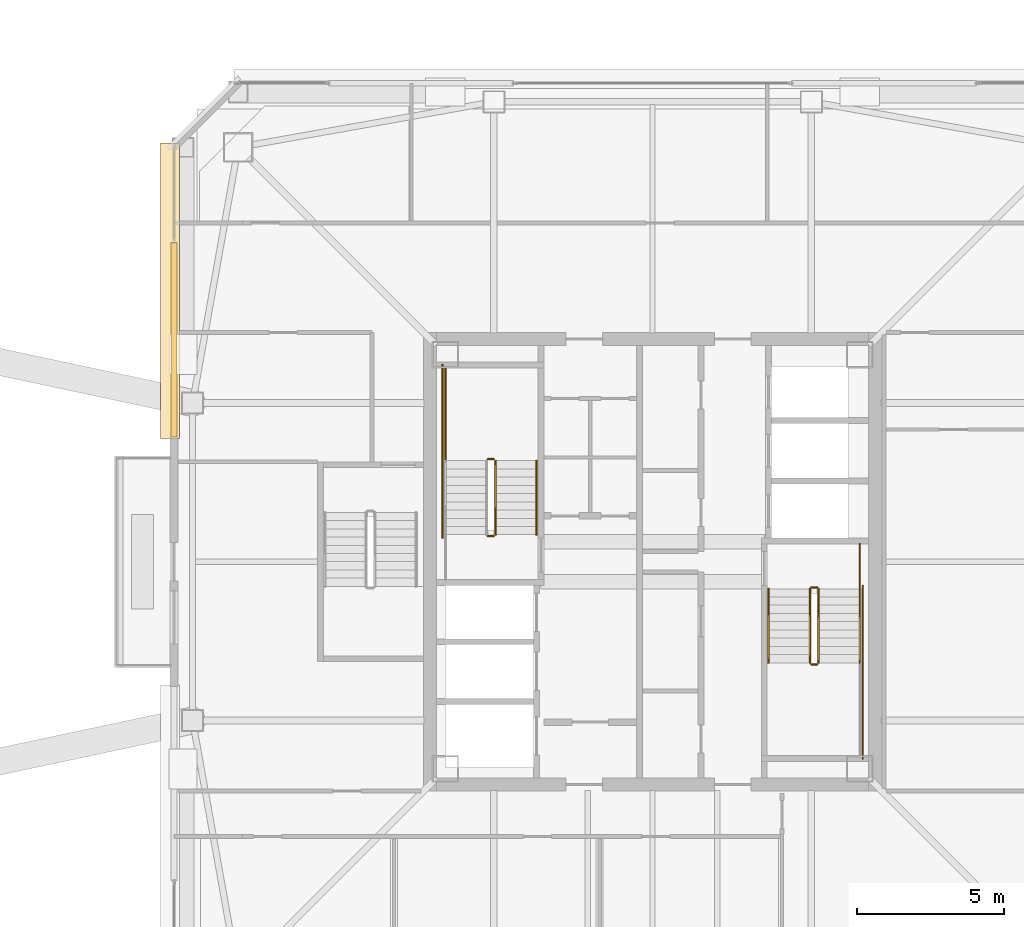
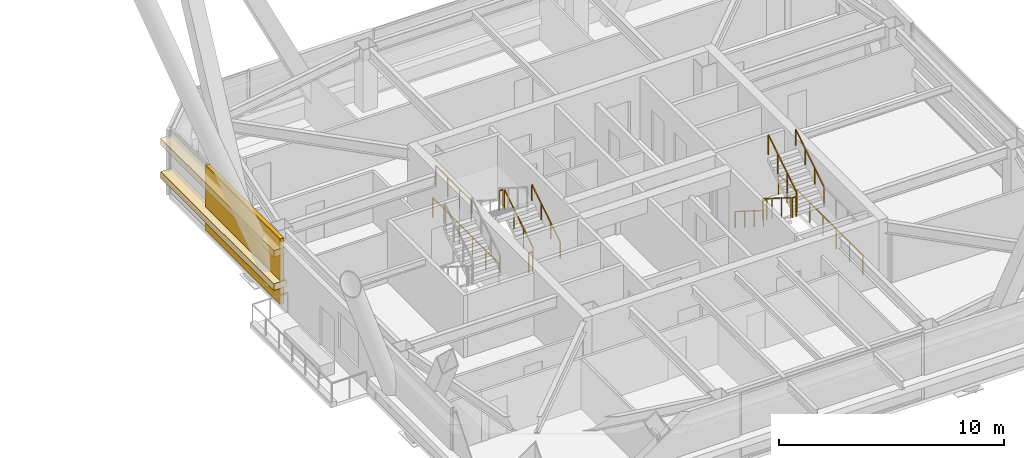
# One storey, part 52 of 56: 14 railings, 3 coverings.
"""IFC4 building model written with IfcOpenShell, lengths in metres."""

from ifc_helpers import new_model, si_unit, direction, frame, origin, origin_2d, place, context, subcontext, project, spatial, rectangle, extrude, material, layer, layer_set, type_object, element, save


model = new_model("IFC4")

# Units and contexts
model_context = context("Model", 3, precision=1e-05, world=origin(), true_north=direction((0.0, 1.0)))
body_context = subcontext(model_context, "Body", "Model", "MODEL_VIEW")
ifc_project = project(units=[si_unit("LENGTHUNIT", "METRE"), si_unit("AREAUNIT", "SQUARE_METRE"), si_unit("VOLUMEUNIT", "CUBIC_METRE"), si_unit("PLANEANGLEUNIT", "RADIAN"), si_unit("MASSUNIT", "GRAM", prefix="KILO")], contexts=[model_context])

# Site, building, storey
site_placement = place(None, origin())
site = spatial("IfcSite", under=ifc_project, at=site_placement, CompositionType="ELEMENT")
building_placement = place(site_placement, origin())
building = spatial("IfcBuilding", under=site, at=building_placement, Name="Tashvorn Skyway Center", CompositionType="ELEMENT")
storey_placement = place(building_placement, frame((0.0, 0.0, 218.39990234375)))
storey = spatial("IfcBuildingStorey", under=building, at=storey_placement, Name="L59", CompositionType="ELEMENT", Elevation=218.39990234375)

# Coverings
ifc_material_1 = material(Name="Precast concrete C40/50", Category="concrete")
ifc_layer_1 = layer(ifc_material_1, 0.199951171875)
ifc_layer_set_1 = layer_set([ifc_layer_1], Name="Precast concrete C40/50")
covering_type_1 = type_object("IfcCoveringType", Name="COV-BRACE-CLAD", PredefinedType="CLADDING", material=ifc_layer_set_1)
covering_placement = place(storey_placement, frame((25.719970703125, 39.56005859375, 0.0), z_axis=(0.0, 0.0, 1.0), x_axis=(0.0, 1.0, 0.0)))
element("IfcCovering", 1, at=covering_placement, inside=storey, type_object=covering_type_1, Name="Tower 1 L59 West Curtain Wall R Mega-Brace Cladding Band 1", PredefinedType="CLADDING", context=body_context, shape_type="SweptSolid", body=[
    extrude(rectangle(XDim=6.6201171875, YDim=0.199951171875, at=origin_2d()), origin(), (0.0, 0.0, 1.0), 3.550048828125),
])
ifc_material_2 = material(Name="Perforated ceramic-coated bronze aluminium solar screen", Category="aluminium")
ifc_layer_2 = layer(ifc_material_2, 0.85009765625)
ifc_layer_set_2 = layer_set([ifc_layer_2], Name="Perforated ceramic-coated bronze aluminium solar screen")
covering_type_2 = type_object("IfcCoveringType", Name="COV-SOLAR-BAND", PredefinedType="CLADDING", material=ifc_layer_set_2)
for number, where, z_axis, x_axis, name in (
    (2, (25.580078125, 41.215087890625, 0.919921875), (0.0, 0.0, 1.0), (0.0, 1.0, 0.0), "L59 Perforated Ceramic-Metal Solar Screen Louvre Band West 1"),
    (3, (25.580078125, 41.215087890625, 2.72021484375), (0.0, 0.0, 1.0), (0.0, 1.0, 0.0), "L59 Perforated Ceramic-Metal Solar Screen Louvre Band West 2"),
):
    element("IfcCovering", number, at=place(storey_placement, frame(where, z_axis=z_axis, x_axis=x_axis)), inside=storey, type_object=covering_type_2, Name=name, PredefinedType="CLADDING", context=body_context, shape_type="SweptSolid", body=[
        extrude(rectangle(XDim=10.050048828125, YDim=0.639892578125, at=origin_2d()), origin(), (0.0, 0.0, 1.0), 0.360107421875),
    ])

# Railings
ifc_material_3 = material(Name="Brushed stainless steel 316", Category="steel")
railing_type_1 = type_object("IfcRailingType", Name="RAIL-HAND-920", PredefinedType="HANDRAIL", material=ifc_material_3)
railing_1_placement = place(storey_placement, frame((38.050048828125, 32.919921875, 0.177490234375)))
element("IfcRailing", 4, at=railing_1_placement, inside=storey, type_object=railing_type_1, Name="L59 ST-T1-1 stair handrail 1", PredefinedType="HANDRAIL", context=body_context, shape_type="SweptSolid", body=[
    extrude(rectangle(XDim=0.048095703125, YDim=0.048095703125, at=origin_2d()), frame((0.0, 0.0, 0.8759765625), z_axis=(0.0, 0.84456994832, 0.535445237532), x_axis=(-1.0, 0.0, 0.0)), (0.0, 0.0, 1.0), 2.98388671875),
    extrude(rectangle(XDim=0.0419921875, YDim=0.0419921875, at=origin_2d()), origin(), (0.0, 0.0, 1.0), 0.851806640625),
    extrude(rectangle(XDim=0.0419921875, YDim=0.0419921875, at=origin_2d()), frame((0.0, 0.840087890625, 0.532470703125)), (0.0, 0.0, 1.0), 0.851806640625),
    extrude(rectangle(XDim=0.0419921875, YDim=0.0419921875, at=origin_2d()), frame((0.0, 1.679931640625, 1.065185546875)), (0.0, 0.0, 1.0), 0.851806640625),
    extrude(rectangle(XDim=0.0419921875, YDim=0.0419921875, at=origin_2d()), frame((0.0, 2.52001953125, 1.59765625)), (0.0, 0.0, 1.0), 0.851806640625),
])
railing_2_placement = place(storey_placement, frame((45.949951171875, 31.080078125, 0.177490234375)))
element("IfcRailing", 5, at=railing_2_placement, inside=storey, type_object=railing_type_1, Name="L59 ST-T1-2 stair handrail 1", PredefinedType="HANDRAIL", context=body_context, shape_type="SweptSolid", body=[
    extrude(rectangle(XDim=0.048095703125, YDim=0.048095703125, at=origin_2d()), frame((0.0, 0.0, 0.8759765625), z_axis=(0.0, -0.84456994832, 0.535445237532), x_axis=(1.0, 0.0, 0.0)), (0.0, 0.0, 1.0), 2.98388671875),
    extrude(rectangle(XDim=0.0419921875, YDim=0.0419921875, at=origin_2d()), origin(), (0.0, 0.0, 1.0), 0.851806640625),
    extrude(rectangle(XDim=0.0419921875, YDim=0.0419921875, at=origin_2d()), frame((0.0, -0.840087890625, 0.532470703125)), (0.0, 0.0, 1.0), 0.851806640625),
    extrude(rectangle(XDim=0.0419921875, YDim=0.0419921875, at=origin_2d()), frame((0.0, -1.679931640625, 1.065185546875)), (0.0, 0.0, 1.0), 0.851806640625),
    extrude(rectangle(XDim=0.0419921875, YDim=0.0419921875, at=origin_2d()), frame((0.0, -2.52001953125, 1.59765625)), (0.0, 0.0, 1.0), 0.851806640625),
])
railing_3_placement = place(storey_placement, frame((49.050048828125, 28.56005859375, 1.95263671875)))
element("IfcRailing", 6, at=railing_3_placement, inside=storey, type_object=railing_type_1, Name="L59 ST-T1-2 stair handrail 2", PredefinedType="HANDRAIL", context=body_context, shape_type="SweptSolid", body=[
    extrude(rectangle(XDim=0.048095703125, YDim=0.048095703125, at=origin_2d()), frame((0.0, 0.0, 0.8759765625), z_axis=(0.0, 0.84460694969, 0.535386869969), x_axis=(-1.0, 0.0, 0.0)), (0.0, 0.0, 1.0), 2.983642578125),
    extrude(rectangle(XDim=0.0419921875, YDim=0.0419921875, at=origin_2d()), origin(), (0.0, 0.0, 1.0), 0.851806640625),
    extrude(rectangle(XDim=0.0419921875, YDim=0.0419921875, at=origin_2d()), frame((0.0, 0.840087890625, 0.532470703125)), (0.0, 0.0, 1.0), 0.851806640625),
    extrude(rectangle(XDim=0.0419921875, YDim=0.0419921875, at=origin_2d()), frame((0.0, 1.679931640625, 1.06494140625)), (0.0, 0.0, 1.0), 0.851806640625),
    extrude(rectangle(XDim=0.0419921875, YDim=0.0419921875, at=origin_2d()), frame((0.0, 2.52001953125, 1.597412109375)), (0.0, 0.0, 1.0), 0.851806640625),
])
ifc_material_4 = material(Name="Painted galvanized steel S355", Category="steel")
railing_type_2 = type_object("IfcRailingType", Name="RAIL-STGUARD-1100", PredefinedType="GUARDRAIL", material=ifc_material_4)
railing_4_placement = place(storey_placement, frame((36.64990234375, 32.919921875, 0.177490234375)))
element("IfcRailing", 7, at=railing_4_placement, inside=storey, type_object=railing_type_2, Name="L59 ST-T1-1 stair guard 1", PredefinedType="GUARDRAIL", context=body_context, shape_type="SweptSolid", body=[
    extrude(rectangle(XDim=0.048095703125, YDim=0.048095703125, at=origin_2d()), frame((0.0, 0.0, 1.076171875), z_axis=(0.0, 0.84456994832, 0.535445237532), x_axis=(-1.0, 0.0, 0.0)), (0.0, 0.0, 1.0), 2.98388671875),
    extrude(rectangle(XDim=0.0419921875, YDim=0.0419921875, at=origin_2d()), origin(), (0.0, 0.0, 1.0), 1.052001953125),
    extrude(rectangle(XDim=0.0419921875, YDim=0.0419921875, at=origin_2d()), frame((0.0, 0.840087890625, 0.532470703125)), (0.0, 0.0, 1.0), 1.052001953125),
    extrude(rectangle(XDim=0.0419921875, YDim=0.0419921875, at=origin_2d()), frame((0.0, 1.679931640625, 1.065185546875)), (0.0, 0.0, 1.0), 1.052001953125),
    extrude(rectangle(XDim=0.0419921875, YDim=0.0419921875, at=origin_2d()), frame((0.0, 2.52001953125, 1.59765625)), (0.0, 0.0, 1.0), 1.052001953125),
])
railing_5_placement = place(storey_placement, frame((36.60009765625, 35.489990234375, 1.775146484375)))
element("IfcRailing", 8, at=railing_5_placement, inside=storey, type_object=railing_type_2, Name="L59 ST-T1-1 stair guard 2", PredefinedType="GUARDRAIL", context=body_context, shape_type="SweptSolid", body=[
    extrude(rectangle(XDim=0.048095703125, YDim=0.048095703125, at=origin_2d()), frame((0.0, 0.0, 1.076171875), z_axis=(-1.0, 0.0, 0.0), x_axis=(0.0, -1.0, 0.0)), (0.0, 0.0, 1.0), 0.2001953125),
    extrude(rectangle(XDim=0.0419921875, YDim=0.0419921875, at=origin_2d()), origin(), (0.0, 0.0, 1.0), 1.052001953125),
    extrude(rectangle(XDim=0.0419921875, YDim=0.0419921875, at=origin_2d()), frame((-0.2001953125, 0.0, 0.0)), (0.0, 0.0, 1.0), 1.052001953125),
])
railing_6_placement = place(storey_placement, frame((34.949951171875, 35.43994140625, 1.775146484375)))
element("IfcRailing", 9, at=railing_6_placement, inside=storey, type_object=railing_type_2, Name="L59 ST-T1-1 stair guard 3", PredefinedType="GUARDRAIL", context=body_context, shape_type="SweptSolid", body=[
    extrude(rectangle(XDim=0.048095703125, YDim=0.048095703125, at=origin_2d()), frame((0.0, 0.0, 1.076171875), z_axis=(0.0, 1.0, 0.0), x_axis=(-1.0, 0.0, 0.0)), (0.0, 0.0, 1.0), 3.16015625),
    extrude(rectangle(XDim=0.0419921875, YDim=0.0419921875, at=origin_2d()), origin(), (0.0, 0.0, 1.0), 1.052001953125),
    extrude(rectangle(XDim=0.0419921875, YDim=0.0419921875, at=origin_2d()), frame((0.0, 1.053466796875, 0.0)), (0.0, 0.0, 1.0), 1.052001953125),
    extrude(rectangle(XDim=0.0419921875, YDim=0.0419921875, at=origin_2d()), frame((0.0, 2.106689453125, 0.0)), (0.0, 0.0, 1.0), 1.052001953125),
    extrude(rectangle(XDim=0.0419921875, YDim=0.0419921875, at=origin_2d()), frame((0.0, 3.16015625, 0.0)), (0.0, 0.0, 1.0), 1.052001953125),
])
railing_7_placement = place(storey_placement, frame((36.60009765625, 32.8701171875, 0.0)))
element("IfcRailing", 10, at=railing_7_placement, inside=storey, type_object=railing_type_2, Name="L59 ST-T1-1 stair guard 5", PredefinedType="GUARDRAIL", context=body_context, shape_type="SweptSolid", body=[
    extrude(rectangle(XDim=0.048095703125, YDim=0.048095703125, at=origin_2d()), frame((0.0, 0.0, 1.076171875), z_axis=(-1.0, 0.0, 0.0), x_axis=(0.0, -1.0, 0.0)), (0.0, 0.0, 1.0), 0.2001953125),
    extrude(rectangle(XDim=0.0419921875, YDim=0.0419921875, at=origin_2d()), origin(), (0.0, 0.0, 1.0), 1.052001953125),
    extrude(rectangle(XDim=0.0419921875, YDim=0.0419921875, at=origin_2d()), frame((-0.2001953125, 0.0, 0.0)), (0.0, 0.0, 1.0), 1.052001953125),
])
railing_8_placement = place(storey_placement, frame((34.85009765625, 32.820068359375, 0.0)))
element("IfcRailing", 11, at=railing_8_placement, inside=storey, type_object=railing_type_2, Name="L59 ST-T1-1 stair guard 7", PredefinedType="GUARDRAIL", context=body_context, shape_type="SweptSolid", body=[
    extrude(rectangle(XDim=0.048095703125, YDim=0.048095703125, at=origin_2d()), frame((0.0, 0.0, 1.076171875), z_axis=(0.0, 1.0, 0.0), x_axis=(-1.0, 0.0, 0.0)), (0.0, 0.0, 1.0), 5.8798828125),
    extrude(rectangle(XDim=0.0419921875, YDim=0.0419921875, at=origin_2d()), origin(), (0.0, 0.0, 1.0), 1.052001953125),
    extrude(rectangle(XDim=0.0419921875, YDim=0.0419921875, at=origin_2d()), frame((0.0, 1.176025390625, 0.0)), (0.0, 0.0, 1.0), 1.052001953125),
    extrude(rectangle(XDim=0.0419921875, YDim=0.0419921875, at=origin_2d()), frame((0.0, 2.35205078125, 0.0)), (0.0, 0.0, 1.0), 1.052001953125),
    extrude(rectangle(XDim=0.0419921875, YDim=0.0419921875, at=origin_2d()), frame((0.0, 3.52783203125, 0.0)), (0.0, 0.0, 1.0), 1.052001953125),
    extrude(rectangle(XDim=0.0419921875, YDim=0.0419921875, at=origin_2d()), frame((0.0, 4.703857421875, 0.0)), (0.0, 0.0, 1.0), 1.052001953125),
    extrude(rectangle(XDim=0.0419921875, YDim=0.0419921875, at=origin_2d()), frame((0.0, 5.8798828125, 0.0)), (0.0, 0.0, 1.0), 1.052001953125),
])
railing_9_placement = place(storey_placement, frame((47.35009765625, 31.080078125, 0.177490234375)))
element("IfcRailing", 12, at=railing_9_placement, inside=storey, type_object=railing_type_2, Name="L59 ST-T1-2 stair guard 1", PredefinedType="GUARDRAIL", context=body_context, shape_type="SweptSolid", body=[
    extrude(rectangle(XDim=0.048095703125, YDim=0.048095703125, at=origin_2d()), frame((0.0, 0.0, 1.076171875), z_axis=(0.0, -0.84456994832, 0.535445237532), x_axis=(1.0, 0.0, 0.0)), (0.0, 0.0, 1.0), 2.98388671875),
    extrude(rectangle(XDim=0.0419921875, YDim=0.0419921875, at=origin_2d()), origin(), (0.0, 0.0, 1.0), 1.052001953125),
    extrude(rectangle(XDim=0.0419921875, YDim=0.0419921875, at=origin_2d()), frame((0.0, -0.840087890625, 0.532470703125)), (0.0, 0.0, 1.0), 1.052001953125),
    extrude(rectangle(XDim=0.0419921875, YDim=0.0419921875, at=origin_2d()), frame((0.0, -1.679931640625, 1.065185546875)), (0.0, 0.0, 1.0), 1.052001953125),
    extrude(rectangle(XDim=0.0419921875, YDim=0.0419921875, at=origin_2d()), frame((0.0, -2.52001953125, 1.59765625)), (0.0, 0.0, 1.0), 1.052001953125),
])
railing_10_placement = place(storey_placement, frame((47.39990234375, 28.510009765625, 1.775146484375)))
element("IfcRailing", 13, at=railing_10_placement, inside=storey, type_object=railing_type_2, Name="L59 ST-T1-2 stair guard 2", PredefinedType="GUARDRAIL", context=body_context, shape_type="SweptSolid", body=[
    extrude(rectangle(XDim=0.048095703125, YDim=0.048095703125, at=origin_2d()), frame((0.0, 0.0, 1.076171875), z_axis=(1.0, 0.0, 0.0), x_axis=(0.0, 1.0, 0.0)), (0.0, 0.0, 1.0), 0.2001953125),
    extrude(rectangle(XDim=0.0419921875, YDim=0.0419921875, at=origin_2d()), origin(), (0.0, 0.0, 1.0), 1.052001953125),
    extrude(rectangle(XDim=0.0419921875, YDim=0.0419921875, at=origin_2d()), frame((0.2001953125, 0.0, 0.0)), (0.0, 0.0, 1.0), 1.052001953125),
])
railing_11_placement = place(storey_placement, frame((47.64990234375, 28.56005859375, 1.95263671875)))
element("IfcRailing", 14, at=railing_11_placement, inside=storey, type_object=railing_type_2, Name="L59 ST-T1-2 stair guard 4", PredefinedType="GUARDRAIL", context=body_context, shape_type="SweptSolid", body=[
    extrude(rectangle(XDim=0.048095703125, YDim=0.048095703125, at=origin_2d()), frame((0.0, 0.0, 1.076171875), z_axis=(0.0, 0.84460694969, 0.535386869969), x_axis=(-1.0, 0.0, 0.0)), (0.0, 0.0, 1.0), 2.983642578125),
    extrude(rectangle(XDim=0.0419921875, YDim=0.0419921875, at=origin_2d()), origin(), (0.0, 0.0, 1.0), 1.052001953125),
    extrude(rectangle(XDim=0.0419921875, YDim=0.0419921875, at=origin_2d()), frame((0.0, 0.840087890625, 0.532470703125)), (0.0, 0.0, 1.0), 1.052001953125),
    extrude(rectangle(XDim=0.0419921875, YDim=0.0419921875, at=origin_2d()), frame((0.0, 1.679931640625, 1.06494140625)), (0.0, 0.0, 1.0), 1.052001953125),
    extrude(rectangle(XDim=0.0419921875, YDim=0.0419921875, at=origin_2d()), frame((0.0, 2.52001953125, 1.597412109375)), (0.0, 0.0, 1.0), 1.052001953125),
])
railing_12_placement = place(storey_placement, frame((47.39990234375, 31.1298828125, 0.0)))
element("IfcRailing", 15, at=railing_12_placement, inside=storey, type_object=railing_type_2, Name="L59 ST-T1-2 stair guard 5", PredefinedType="GUARDRAIL", context=body_context, shape_type="SweptSolid", body=[
    extrude(rectangle(XDim=0.048095703125, YDim=0.048095703125, at=origin_2d()), frame((0.0, 0.0, 1.076171875), z_axis=(1.0, 0.0, 0.0), x_axis=(0.0, 1.0, 0.0)), (0.0, 0.0, 1.0), 0.2001953125),
    extrude(rectangle(XDim=0.0419921875, YDim=0.0419921875, at=origin_2d()), origin(), (0.0, 0.0, 1.0), 1.052001953125),
    extrude(rectangle(XDim=0.0419921875, YDim=0.0419921875, at=origin_2d()), frame((0.2001953125, 0.0, 0.0)), (0.0, 0.0, 1.0), 1.052001953125),
])
railing_13_placement = place(storey_placement, frame((49.050048828125, 32.60009765625, 0.0)))
element("IfcRailing", 16, at=railing_13_placement, inside=storey, type_object=railing_type_2, Name="L59 ST-T1-2 stair guard 6", PredefinedType="GUARDRAIL", context=body_context, shape_type="SweptSolid", body=[
    extrude(rectangle(XDim=0.048095703125, YDim=0.048095703125, at=origin_2d()), frame((0.0, 0.0, 1.076171875), z_axis=(0.0, -1.0, 0.0), x_axis=(1.0, 0.0, 0.0)), (0.0, 0.0, 1.0), 1.52001953125),
    extrude(rectangle(XDim=0.0419921875, YDim=0.0419921875, at=origin_2d()), origin(), (0.0, 0.0, 1.0), 1.052001953125),
    extrude(rectangle(XDim=0.0419921875, YDim=0.0419921875, at=origin_2d()), frame((0.0, -0.760009765625, 0.0)), (0.0, 0.0, 1.0), 1.052001953125),
    extrude(rectangle(XDim=0.0419921875, YDim=0.0419921875, at=origin_2d()), frame((0.0, -1.52001953125, 0.0)), (0.0, 0.0, 1.0), 1.052001953125),
])
railing_14_placement = place(storey_placement, frame((49.14990234375, 31.179931640625, 0.0)))
element("IfcRailing", 17, at=railing_14_placement, inside=storey, type_object=railing_type_2, Name="L59 ST-T1-2 stair guard 7", PredefinedType="GUARDRAIL", context=body_context, shape_type="SweptSolid", body=[
    extrude(rectangle(XDim=0.048095703125, YDim=0.048095703125, at=origin_2d()), frame((0.0, 0.0, 1.076171875), z_axis=(0.0, -1.0, 0.0), x_axis=(1.0, 0.0, 0.0)), (0.0, 0.0, 1.0), 5.8798828125),
    extrude(rectangle(XDim=0.0419921875, YDim=0.0419921875, at=origin_2d()), origin(), (0.0, 0.0, 1.0), 1.052001953125),
    extrude(rectangle(XDim=0.0419921875, YDim=0.0419921875, at=origin_2d()), frame((0.0, -1.176025390625, 0.0)), (0.0, 0.0, 1.0), 1.052001953125),
    extrude(rectangle(XDim=0.0419921875, YDim=0.0419921875, at=origin_2d()), frame((0.0, -2.35205078125, 0.0)), (0.0, 0.0, 1.0), 1.052001953125),
    extrude(rectangle(XDim=0.0419921875, YDim=0.0419921875, at=origin_2d()), frame((0.0, -3.52783203125, 0.0)), (0.0, 0.0, 1.0), 1.052001953125),
    extrude(rectangle(XDim=0.0419921875, YDim=0.0419921875, at=origin_2d()), frame((0.0, -4.703857421875, 0.0)), (0.0, 0.0, 1.0), 1.052001953125),
    extrude(rectangle(XDim=0.0419921875, YDim=0.0419921875, at=origin_2d()), frame((0.0, -5.8798828125, 0.0)), (0.0, 0.0, 1.0), 1.052001953125),
])

save(model, "model.ifc")
